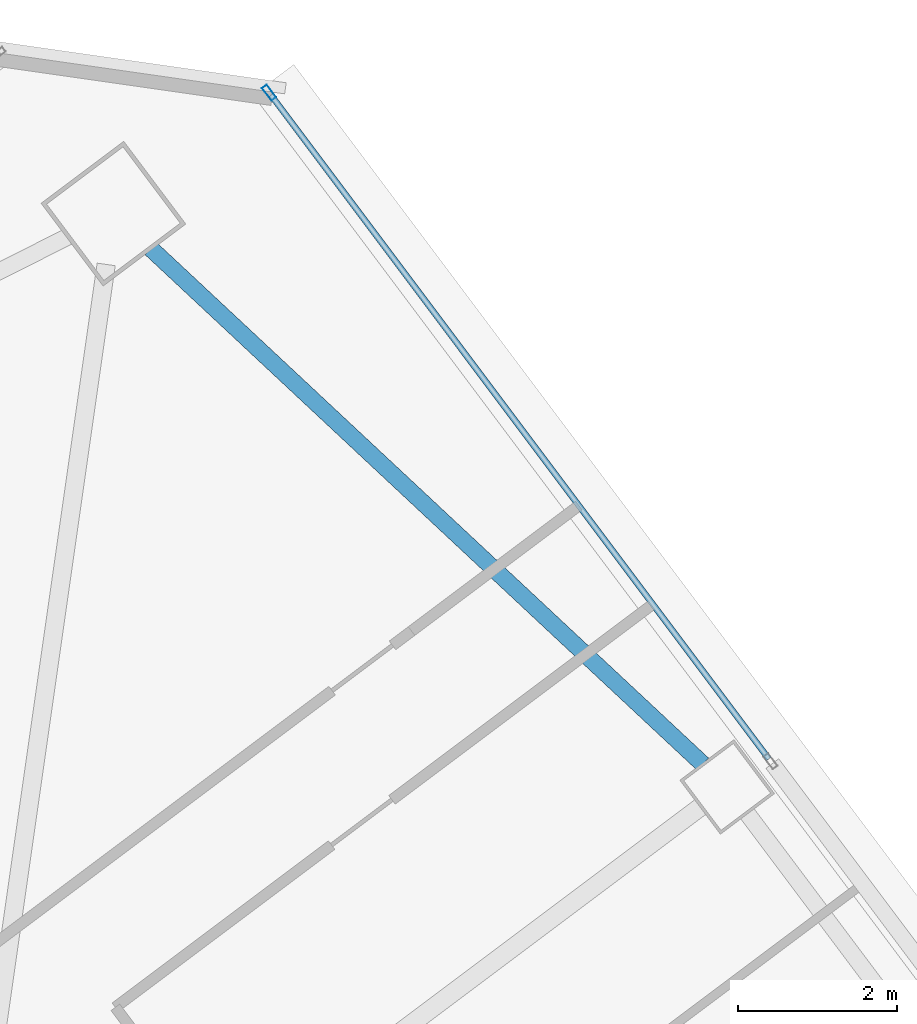
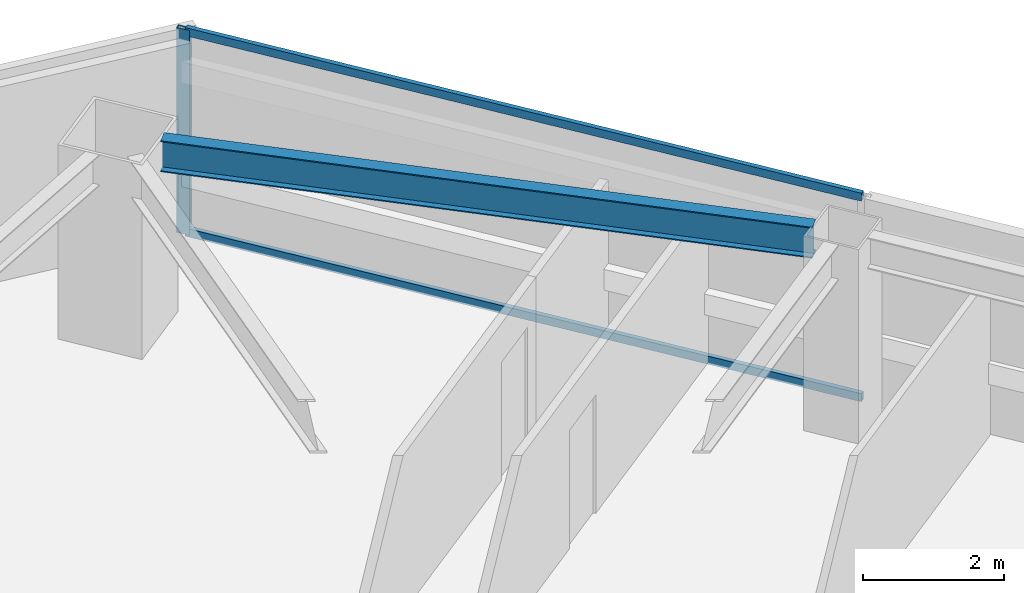
# One storey, part 30 of 42: 3 members, 1 beam, 1 element without a shape of its own.
"""IFC4 building model written with IfcOpenShell, lengths in metres."""

from ifc_helpers import new_model, si_unit, direction, frame, origin, origin_2d, place, context, subcontext, project, spatial, hollow_rectangle, i_section, extrude, material, material_profile, profile_set, type_object, element, aggregate, save


model = new_model("IFC4")

# Units and contexts
model_context = context("Model", 3, precision=1e-05, world=origin(), true_north=direction((0.0, 1.0)))
body_context = subcontext(model_context, "Body", "Model", "MODEL_VIEW")
ifc_project = project(units=[si_unit("LENGTHUNIT", "METRE"), si_unit("AREAUNIT", "SQUARE_METRE"), si_unit("VOLUMEUNIT", "CUBIC_METRE"), si_unit("PLANEANGLEUNIT", "RADIAN"), si_unit("MASSUNIT", "GRAM", prefix="KILO")], contexts=[model_context])

# Site, building, storey
site_placement = place(None, origin())
site = spatial("IfcSite", under=ifc_project, at=site_placement, CompositionType="ELEMENT")
building_placement = place(site_placement, origin())
building = spatial("IfcBuilding", under=site, at=building_placement, Name="Tashvorn Skyway Center", CompositionType="ELEMENT")
storey_placement = place(building_placement, frame((0.0, 0.0, 121.5)))
storey = spatial("IfcBuildingStorey", under=building, at=storey_placement, Name="L32", CompositionType="ELEMENT", Elevation=121.5)

# Beam
ifc_material_1 = material(Name="Steel ASTM A992 Grade 50", Category="steel")
ifc_material_profile_1 = material_profile(ifc_material_1, i_section(OverallWidth=0.2109375, OverallDepth=0.5390625, WebThickness=0.01171875, FlangeThickness=0.018798828125, at=origin_2d()), Name="W21X73")
ifc_profile_set_1 = profile_set([ifc_material_profile_1], Name="Steel ASTM A992 Grade 50")
beam_type = type_object("IfcBeamType", Name="BM-SPANDREL-W21X73", PredefinedType="SPANDREL", material=ifc_profile_set_1)
beam_placement = place(storey_placement, frame((124.572998046875, 47.19677734375, 3.1005859375), z_axis=(-0.730843250868, 0.682545341102, 0.0), x_axis=(-0.682545341102, -0.730843250868, 0.0)))
element("IfcBeam", 1, at=beam_placement, inside=storey, type_object=beam_type, Name="Tower 2 L32 Spandrel Beam 06", PredefinedType="SPANDREL", context=body_context, shape_type="SweptSolid", body=[
    extrude(i_section(OverallWidth=0.2109375, OverallDepth=0.5390625, WebThickness=0.01171875, FlangeThickness=0.018798828125, at=origin_2d()), origin(), (0.0, 0.0, 1.0), 9.498046875),
])

# Curtain wall, members
ifc_material_2 = material(Name="Thermally broken bronze-anodized aluminium 6063-T6", Category="aluminium")
curtain_wall_type = type_object("IfcCurtainWallType", Name="CW-CW-Z3", PredefinedType="NOTDEFINED", material=ifc_material_2)
curtain_wall_placement = place(storey_placement, origin())
curtain_wall = element("IfcCurtainWall", 2, at=curtain_wall_placement, inside=storey, type_object=curtain_wall_type, Name="Tower 2 L32 East Unitised Curtain Wall Glazing Group 1", PredefinedType="NOTDEFINED")
ifc_material_profile_2 = material_profile(ifc_material_2, hollow_rectangle(XDim=0.074951171875, YDim=0.199951171875, WallThickness=0.00439453125, at=origin_2d()), Name="ALU-MULL-75x200")
ifc_profile_set_2 = profile_set([ifc_material_profile_2], Name="Thermally broken bronze-anodized aluminium 6063-T6")
member_type_1 = type_object("IfcMemberType", Name="CWM-CW-Z3", PredefinedType="MULLION", material=ifc_profile_set_2)
member_1_placement = place(storey_placement, frame((119.118408203125, 55.64208984375, 0.0), z_axis=(0.0, 0.0, 1.0), x_axis=(0.799998866489, 0.600001511345, 0.0)))
member_1 = element("IfcMember", 3, at=member_1_placement, type_object=member_type_1, Name="CW-Z3 mullion 1", PredefinedType="MULLION", context=body_context, shape_type="SweptSolid", body=[
    extrude(hollow_rectangle(XDim=0.074951171875, YDim=0.199951171875, WallThickness=0.00439453125, at=origin_2d()), origin(), (0.0, 0.0, 1.0), 3.550048828125),
])
ifc_material_profile_3 = material_profile(ifc_material_2, hollow_rectangle(XDim=0.074951171875, YDim=0.139892578125, WallThickness=0.004150390625, at=origin_2d()), Name="ALU-TRAN-75x140")
ifc_profile_set_3 = profile_set([ifc_material_profile_3], Name="Thermally broken bronze-anodized aluminium 6063-T6")
member_type_2 = type_object("IfcMemberType", Name="CWT-CW-Z3", PredefinedType="USERDEFINED", material=ifc_profile_set_3)
member_2_placement = place(storey_placement, frame((119.14111328125, 55.612060546875, 0.03759765625), z_axis=(0.599996257181, -0.800002807101, 0.0), x_axis=(0.800002807101, 0.599996257181, 0.0)))
member_2 = element("IfcMember", 4, at=member_2_placement, type_object=member_type_2, Name="CW-Z3 transom 1.1", ObjectType="TRANSOM", PredefinedType="USERDEFINED", context=body_context, shape_type="SweptSolid", body=[
    extrude(hollow_rectangle(XDim=0.074951171875, YDim=0.139892578125, WallThickness=0.004150390625, at=origin_2d()), origin(), (0.0, 0.0, 1.0), 10.436767578125),
])
member_3_placement = place(storey_placement, frame((119.14111328125, 55.612060546875, 3.512451171875), z_axis=(0.599996257181, -0.800002807101, 0.0), x_axis=(0.800002807101, 0.599996257181, 0.0)))
member_3 = element("IfcMember", 5, at=member_3_placement, type_object=member_type_2, Name="CW-Z3 transom 1.2", ObjectType="TRANSOM", PredefinedType="USERDEFINED", context=body_context, shape_type="SweptSolid", body=[
    extrude(hollow_rectangle(XDim=0.074951171875, YDim=0.139892578125, WallThickness=0.004150390625, at=origin_2d()), origin(), (0.0, 0.0, 1.0), 10.436767578125),
])
aggregate(curtain_wall, [member_1, member_2, member_3])

save(model, "model.ifc")
